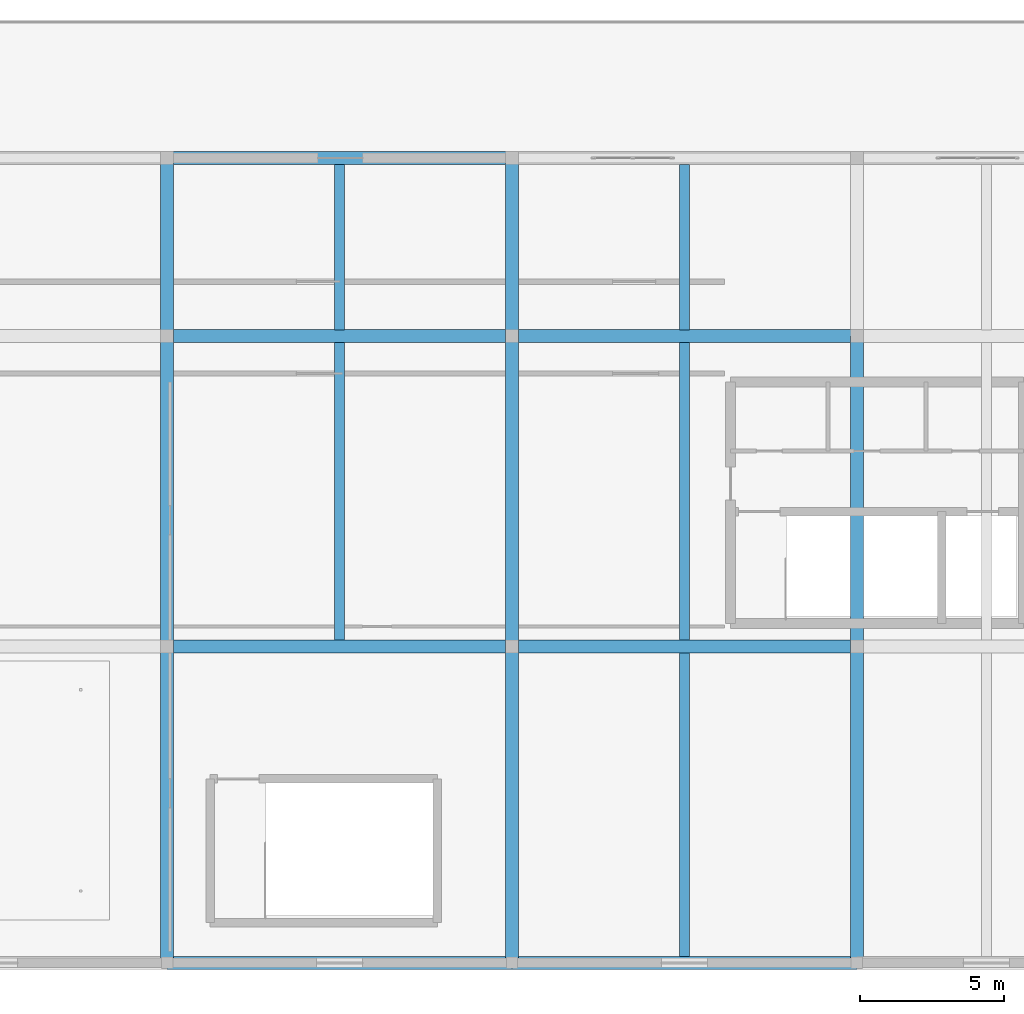
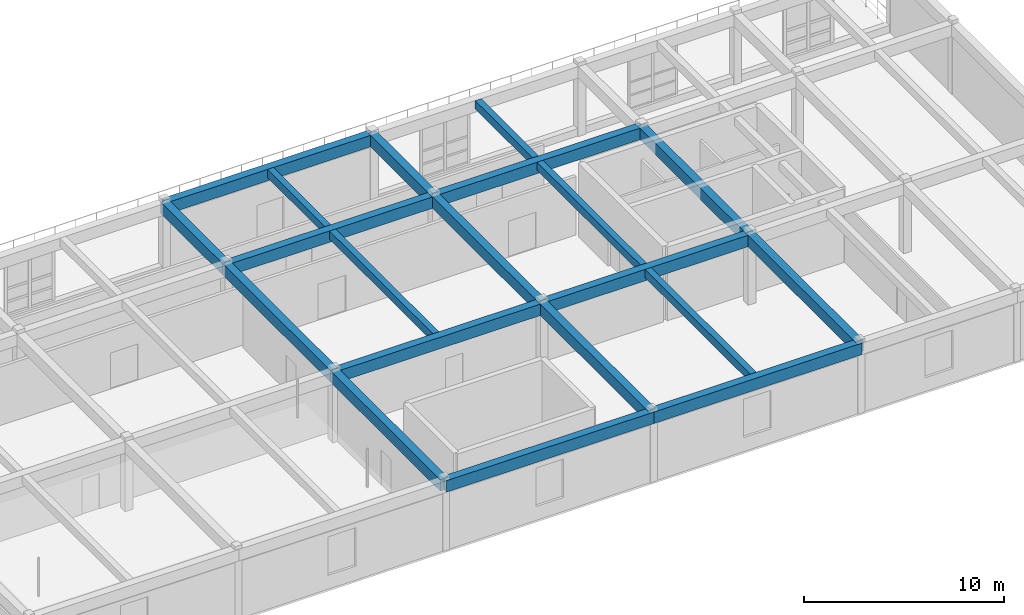
# One storey, part 5 of 15: 20 beams.
"""IFC4 building model written with IfcOpenShell, lengths in metres."""

from ifc_helpers import new_model, si_unit, derived_unit, direction, frame, origin, origin_2d, place, context, subcontext, project, spatial, rectangle, extrude, material, material_profile, profile_set, type_object, element, save


model = new_model("IFC4")

# Units and contexts
model_context = context("Model", 3, precision=1e-05, world=origin(), true_north=direction((0.0, 1.0)))
body_context = subcontext(model_context, "Body", "Model", "MODEL_VIEW")
ifc_project = project(units=[si_unit("LENGTHUNIT", "METRE"), si_unit("AREAUNIT", "SQUARE_METRE"), si_unit("VOLUMEUNIT", "CUBIC_METRE"), si_unit("PLANEANGLEUNIT", "RADIAN"), si_unit("MASSUNIT", "GRAM", prefix="KILO"), derived_unit("THERMALTRANSMITTANCEUNIT", [(si_unit("POWERUNIT", "WATT"), 1), (si_unit("LENGTHUNIT", "METRE"), -2), (si_unit("THERMODYNAMICTEMPERATUREUNIT", "KELVIN"), -1)])], contexts=[model_context])

# Site, building, storey
site_placement = place(None, origin())
site = spatial("IfcSite", under=ifc_project, at=site_placement, CompositionType="ELEMENT")
building_placement = place(site_placement, origin())
building = spatial("IfcBuilding", under=site, at=building_placement, Name="Almenara Railside Exhibition Hall", CompositionType="ELEMENT")
storey_placement = place(building_placement, frame((0.0, 0.0, 16.199951171875)))
storey = spatial("IfcBuildingStorey", under=building, at=storey_placement, Name="L03", CompositionType="ELEMENT", Elevation=16.199951171875)

# Beams
ifc_material = material(Name="Concrete C35/45", Category="concrete")
ifc_material_profile_1 = material_profile(ifc_material, rectangle(XDim=0.449951171875, YDim=0.699951171875, at=origin_2d()), Name="RC 450x700")
ifc_profile_set_1 = profile_set([ifc_material_profile_1], Name="Concrete C35/45")
beam_type_1 = type_object("IfcBeamType", Name="RC Floor Beam 450x700 C35/45", PredefinedType="BEAM", material=ifc_profile_set_1)
for number, where, z_axis, x_axis, name in (
    (1, (162.0, 0.0, 3.929931640625), (1.0, 0.0, 0.0), (0.0, 1.0, 0.0), "Beam 0343"),
    (2, (174.0, 0.0, 3.929931640625), (1.0, 0.0, 0.0), (0.0, 1.0, 0.0), "Beam 0344"),
    (3, (162.0, 11.0, 3.929931640625), (1.0, 0.0, 0.0), (0.0, 1.0, 0.0), "Beam 0350"),
    (4, (174.0, 11.0, 3.929931640625), (1.0, 0.0, 0.0), (0.0, 1.0, 0.0), "Beam 0351"),
    (5, (162.0, 21.800048828125, 3.929931640625), (1.0, 0.0, 0.0), (0.0, 1.0, 0.0), "Beam 0357"),
    (6, (174.0, 21.800048828125, 3.929931640625), (1.0, 0.0, 0.0), (0.0, 1.0, 0.0), "Beam 0358"),
    (7, (162.0, 28.0, 3.929931640625), (1.0, 0.0, 0.0), (0.0, 1.0, 0.0), "Beam 0364"),
):
    element("IfcBeam", number, at=place(storey_placement, frame(where, z_axis=z_axis, x_axis=x_axis)), inside=storey, type_object=beam_type_1, Name=name, PredefinedType="BEAM", context=body_context, shape_type="SweptSolid", body=[
        extrude(rectangle(XDim=0.449951171875, YDim=0.699951171875, at=origin_2d()), origin(), (0.0, 0.0, 1.0), 12.0),
    ])
beam_1_placement = place(storey_placement, frame((162.0, 0.0, 3.929931640625), z_axis=(0.0, 1.0, 0.0), x_axis=(-1.0, 0.0, 0.0)))
element("IfcBeam", 8, at=beam_1_placement, inside=storey, type_object=beam_type_1, Name="Beam 0377", PredefinedType="BEAM", context=body_context, shape_type="SweptSolid", body=[
    extrude(rectangle(XDim=0.449951171875, YDim=0.699951171875, at=origin_2d()), origin(), (0.0, 0.0, 1.0), 11.0),
])
beam_2_placement = place(storey_placement, frame((162.0, 11.0, 3.929931640625), z_axis=(0.0, 1.0, 0.0), x_axis=(-1.0, 0.0, 0.0)))
element("IfcBeam", 9, at=beam_2_placement, inside=storey, type_object=beam_type_1, Name="Beam 0378", PredefinedType="BEAM", context=body_context, shape_type="SweptSolid", body=[
    extrude(rectangle(XDim=0.449951171875, YDim=0.699951171875, at=origin_2d()), origin(), (0.0, 0.0, 1.0), 10.800048828125),
])
beam_3_placement = place(storey_placement, frame((162.0, 21.800048828125, 3.929931640625), z_axis=(0.0, 1.0, 0.0), x_axis=(-1.0, 0.0, 0.0)))
element("IfcBeam", 10, at=beam_3_placement, inside=storey, type_object=beam_type_1, Name="Beam 0379", PredefinedType="BEAM", context=body_context, shape_type="SweptSolid", body=[
    extrude(rectangle(XDim=0.449951171875, YDim=0.699951171875, at=origin_2d()), origin(), (0.0, 0.0, 1.0), 6.199951171875),
])
beam_4_placement = place(storey_placement, frame((174.0, 0.0, 3.929931640625), z_axis=(0.0, 1.0, 0.0), x_axis=(-1.0, 0.0, 0.0)))
element("IfcBeam", 11, at=beam_4_placement, inside=storey, type_object=beam_type_1, Name="Beam 0380", PredefinedType="BEAM", context=body_context, shape_type="SweptSolid", body=[
    extrude(rectangle(XDim=0.449951171875, YDim=0.699951171875, at=origin_2d()), origin(), (0.0, 0.0, 1.0), 11.0),
])
beam_5_placement = place(storey_placement, frame((174.0, 11.0, 3.929931640625), z_axis=(0.0, 1.0, 0.0), x_axis=(-1.0, 0.0, 0.0)))
element("IfcBeam", 12, at=beam_5_placement, inside=storey, type_object=beam_type_1, Name="Beam 0381", PredefinedType="BEAM", context=body_context, shape_type="SweptSolid", body=[
    extrude(rectangle(XDim=0.449951171875, YDim=0.699951171875, at=origin_2d()), origin(), (0.0, 0.0, 1.0), 10.800048828125),
])
beam_6_placement = place(storey_placement, frame((174.0, 21.800048828125, 3.929931640625), z_axis=(0.0, 1.0, 0.0), x_axis=(-1.0, 0.0, 0.0)))
element("IfcBeam", 13, at=beam_6_placement, inside=storey, type_object=beam_type_1, Name="Beam 0382", PredefinedType="BEAM", context=body_context, shape_type="SweptSolid", body=[
    extrude(rectangle(XDim=0.449951171875, YDim=0.699951171875, at=origin_2d()), origin(), (0.0, 0.0, 1.0), 6.199951171875),
])
beam_7_placement = place(storey_placement, frame((186.0, 0.0, 3.929931640625), z_axis=(0.0, 1.0, 0.0), x_axis=(-1.0, 0.0, 0.0)))
element("IfcBeam", 14, at=beam_7_placement, inside=storey, type_object=beam_type_1, Name="Beam 0383", PredefinedType="BEAM", context=body_context, shape_type="SweptSolid", body=[
    extrude(rectangle(XDim=0.449951171875, YDim=0.699951171875, at=origin_2d()), origin(), (0.0, 0.0, 1.0), 11.0),
])
beam_8_placement = place(storey_placement, frame((186.0, 11.0, 3.929931640625), z_axis=(0.0, 1.0, 0.0), x_axis=(-1.0, 0.0, 0.0)))
element("IfcBeam", 15, at=beam_8_placement, inside=storey, type_object=beam_type_1, Name="Beam 0384", PredefinedType="BEAM", context=body_context, shape_type="SweptSolid", body=[
    extrude(rectangle(XDim=0.449951171875, YDim=0.699951171875, at=origin_2d()), origin(), (0.0, 0.0, 1.0), 10.800048828125),
])
ifc_material_profile_2 = material_profile(ifc_material, rectangle(XDim=0.35009765625, YDim=0.5, at=origin_2d()), Name="RC 350x500")
ifc_profile_set_2 = profile_set([ifc_material_profile_2], Name="Concrete C35/45")
beam_type_2 = type_object("IfcBeamType", Name="RC Spandrel Tie Beam 350x500 C35/45", PredefinedType="SPANDREL", material=ifc_profile_set_2)
beam_9_placement = place(storey_placement, frame((168.0, 11.22509765625, 4.030029296875), z_axis=(0.0, 1.0, 0.0), x_axis=(-1.0, 0.0, 0.0)))
element("IfcBeam", 16, at=beam_9_placement, inside=storey, type_object=beam_type_2, Name="Beam 0402", PredefinedType="SPANDREL", context=body_context, shape_type="SweptSolid", body=[
    extrude(rectangle(XDim=0.35009765625, YDim=0.5, at=origin_2d()), origin(), (0.0, 0.0, 1.0), 10.349853515625),
])
beam_10_placement = place(storey_placement, frame((168.0, 22.02490234375, 4.030029296875), z_axis=(0.0, 1.0, 0.0), x_axis=(-1.0, 0.0, 0.0)))
element("IfcBeam", 17, at=beam_10_placement, inside=storey, type_object=beam_type_2, Name="Beam 0403", PredefinedType="SPANDREL", context=body_context, shape_type="SweptSolid", body=[
    extrude(rectangle(XDim=0.35009765625, YDim=0.5, at=origin_2d()), origin(), (0.0, 0.0, 1.0), 5.75),
])
beam_11_placement = place(storey_placement, frame((180.0, 0.22509765625, 4.030029296875), z_axis=(0.0, 1.0, 0.0), x_axis=(-1.0, 0.0, 0.0)))
element("IfcBeam", 18, at=beam_11_placement, inside=storey, type_object=beam_type_2, Name="Beam 0404", PredefinedType="SPANDREL", context=body_context, shape_type="SweptSolid", body=[
    extrude(rectangle(XDim=0.35009765625, YDim=0.5, at=origin_2d()), origin(), (0.0, 0.0, 1.0), 10.5498046875),
])
beam_12_placement = place(storey_placement, frame((180.0, 11.22509765625, 4.030029296875), z_axis=(0.0, 1.0, 0.0), x_axis=(-1.0, 0.0, 0.0)))
element("IfcBeam", 19, at=beam_12_placement, inside=storey, type_object=beam_type_2, Name="Beam 0405", PredefinedType="SPANDREL", context=body_context, shape_type="SweptSolid", body=[
    extrude(rectangle(XDim=0.35009765625, YDim=0.5, at=origin_2d()), origin(), (0.0, 0.0, 1.0), 10.349853515625),
])
beam_13_placement = place(storey_placement, frame((180.0, 22.02490234375, 4.030029296875), z_axis=(0.0, 1.0, 0.0), x_axis=(-1.0, 0.0, 0.0)))
element("IfcBeam", 20, at=beam_13_placement, inside=storey, type_object=beam_type_2, Name="Beam 0406", PredefinedType="SPANDREL", context=body_context, shape_type="SweptSolid", body=[
    extrude(rectangle(XDim=0.35009765625, YDim=0.5, at=origin_2d()), origin(), (0.0, 0.0, 1.0), 5.75),
])

save(model, "model.ifc")
